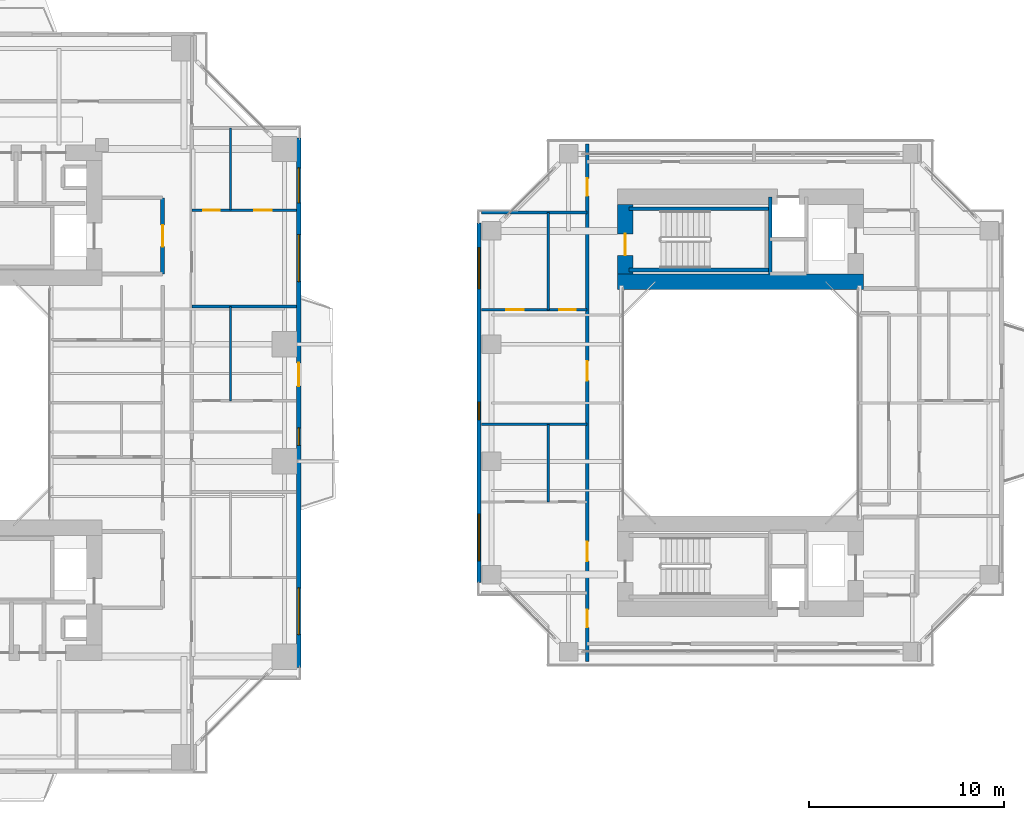
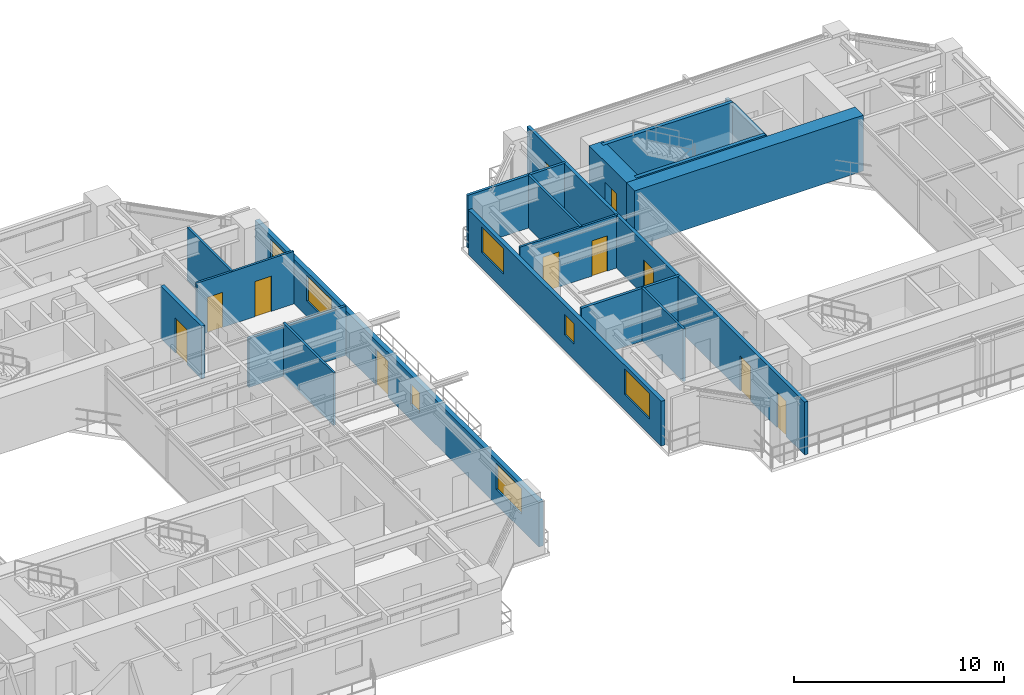
# One storey, part 15 of 22: 18 walls, 11 doors, 7 windows, 18 openings.
"""IFC4 building model written with IfcOpenShell, lengths in metres."""

from ifc_helpers import new_model, si_unit, direction, frame, frame_2d, origin, place, context, subcontext, project, spatial, rectangle, extrude, source, transform, mapped, material, layer, layer_set, type_object, element, fill, save


model = new_model("IFC4")

# Units and contexts
model_context = context("Model", 3, precision=1e-05, world=origin(), true_north=direction((0.0, 1.0)))
body_context = subcontext(model_context, "Body", "Model", "MODEL_VIEW")
ifc_project = project(units=[si_unit("LENGTHUNIT", "METRE"), si_unit("AREAUNIT", "SQUARE_METRE"), si_unit("VOLUMEUNIT", "CUBIC_METRE"), si_unit("PLANEANGLEUNIT", "RADIAN"), si_unit("MASSUNIT", "GRAM", prefix="KILO"), si_unit("THERMODYNAMICTEMPERATUREUNIT", "KELVIN"), si_unit("POWERUNIT", "WATT")], contexts=[model_context])

# Site, building, storey
site_placement = place(None, origin())
site = spatial("IfcSite", under=ifc_project, at=site_placement, CompositionType="ELEMENT")
building_placement = place(site_placement, origin())
building = spatial("IfcBuilding", under=site, at=building_placement, Name="Qiaomeng Ring Towers", CompositionType="ELEMENT")
storey_placement = place(building_placement, frame((0.0, 0.0, 53.5)))
storey = spatial("IfcBuildingStorey", under=building, at=storey_placement, Name="L14", CompositionType="ELEMENT", Elevation=53.5)

# Wall, openings, door, windows
ifc_material_1 = material(Name="Precast concrete C40", Category="concrete")
ifc_layer_1 = layer(ifc_material_1, 0.25, Name="Precast concrete C40")
ifc_layer_set_1 = layer_set([ifc_layer_1], Name="Precast concrete C40")
wall_type_1 = type_object("IfcWallType", Name="ARC-WL-EW1", PredefinedType="STANDARD", material=ifc_layer_set_1)
wall_1_placement = place(storey_placement, frame((37.875, 9.449951171875, 0.0), z_axis=(0.0, 0.0, 1.0), x_axis=(0.0, 1.0, 0.0)))
wall_1 = element("IfcWall", 1, at=wall_1_placement, inside=storey, type_object=wall_type_1, Name="L14 Tower 1 E Exterior Wall", PredefinedType="STANDARD", context=body_context, shape_type="SweptSolid", body=[
    extrude(rectangle(XDim=27.10009765625, YDim=0.25, at=frame_2d((13.550048828125, 0.0))), origin(), (0.0, 0.0, 1.0), 2.610107421875),
])
opening_1_placement = place(wall_1_placement, frame((14.39990234375, 0.0, 0.0)))
opening_1 = element("IfcOpeningElement", 2, at=opening_1_placement, cuts=wall_1, Name="Opening BD1", PredefinedType="OPENING", context=body_context, shape_type="SweptSolid", body=[
    extrude(rectangle(XDim=1.199951171875, YDim=2.10009765625, at=frame_2d((0.60009765625, 1.050048828125))), frame((0.0, 0.135009765625, 0.0), z_axis=(0.0, -1.0, 0.0), x_axis=(1.0, 0.0, 0.0)), (0.0, 0.0, 1.0), 0.27001953125),
])
opening_2_placement = place(wall_1_placement, frame((1.672607421875, 0.0, 0.89990234375)))
opening_2 = element("IfcOpeningElement", 3, at=opening_2_placement, cuts=wall_1, Name="Opening WN6", PredefinedType="OPENING", context=body_context, shape_type="SweptSolid", body=[
    extrude(rectangle(XDim=2.39990234375, YDim=1.5, at=frame_2d((1.199951171875, 0.75))), frame((0.0, 0.135009765625, 0.0), z_axis=(0.0, -1.0, 0.0), x_axis=(1.0, 0.0, 0.0)), (0.0, 0.0, 1.0), 0.27001953125),
])
opening_3_placement = place(wall_1_placement, frame((23.78759765625, 0.0, 0.89990234375)))
opening_3 = element("IfcOpeningElement", 4, at=opening_3_placement, cuts=wall_1, Name="Opening WN1", PredefinedType="OPENING", context=body_context, shape_type="SweptSolid", body=[
    extrude(rectangle(XDim=1.800048828125, YDim=1.5, at=frame_2d((0.89990234375, 0.75))), frame((0.0, 0.135009765625, 0.0), z_axis=(0.0, -1.0, 0.0), x_axis=(1.0, 0.0, 0.0)), (0.0, 0.0, 1.0), 0.27001953125),
])
opening_4_placement = place(wall_1_placement, frame((19.757568359375, 0.0, 0.89990234375)))
opening_4 = element("IfcOpeningElement", 5, at=opening_4_placement, cuts=wall_1, Name="Opening WN6", PredefinedType="OPENING", context=body_context, shape_type="SweptSolid", body=[
    extrude(rectangle(XDim=2.39990234375, YDim=1.5, at=frame_2d((1.199951171875, 0.75))), frame((0.0, 0.135009765625, 0.0), z_axis=(0.0, -1.0, 0.0), x_axis=(1.0, 0.0, 0.0)), (0.0, 0.0, 1.0), 0.27001953125),
])
opening_5_placement = place(wall_1_placement, frame((11.364990234375, 0.0, 0.89990234375)))
opening_5 = element("IfcOpeningElement", 6, at=opening_5_placement, cuts=wall_1, Name="Opening WN5", PredefinedType="OPENING", context=body_context, shape_type="SweptSolid", body=[
    extrude(rectangle(XDim=0.89990234375, YDim=1.199951171875, at=frame_2d((0.449951171875, 0.60009765625))), frame((0.0, 0.135009765625, 0.0), z_axis=(0.0, -1.0, 0.0), x_axis=(1.0, 0.0, 0.0)), (0.0, 0.0, 1.0), 0.27001953125),
])
ifc_material_2 = material(Name="Low-E dark-grey laminated double glazing", Category="glass")
door_type_1 = type_object("IfcDoorType", Name="ARC-DR-BD1", OperationType="NOTDEFINED", PredefinedType="DOOR", material=ifc_material_2)
shared_shape_1 = source(origin(), body_context, "Body", "SweptSolid", [
    extrude(rectangle(XDim=1.199951171875, YDim=2.10009765625, at=frame_2d((0.60009765625, 1.050048828125))), frame((0.0, 0.02490234375, 0.0), z_axis=(0.0, -1.0, 0.0), x_axis=(1.0, 0.0, 0.0)), (0.0, 0.0, 1.0), 0.050048828125),
])
door_1_placement = place(opening_1_placement, origin())
door_1 = element("IfcDoor", 7, at=door_1_placement, inside=storey, type_object=door_type_1, Name="L14 E Balcony Glazed Door", OperationType="SINGLE_SWING_LEFT", OverallHeight=2.10009765625, OverallWidth=1.199951171875, PredefinedType="DOOR", context=body_context, shape_type="MappedRepresentation", body=[
    mapped(shared_shape_1, transform((0.0, 0.0, 0.0), x_axis=(1.0, 0.0, 0.0), y_axis=(0.0, 1.0, 0.0), z_axis=(0.0, 0.0, 1.0), scale=1.0)),
])
fill(opening_1, door_1)
window_type_1 = type_object("IfcWindowType", Name="ARC-WN-6", PartitioningType="TRIPLE_PANEL_VERTICAL", PredefinedType="WINDOW", material=ifc_material_2)
shared_shape_2 = source(origin(), body_context, "Body", "SweptSolid", [
    extrude(rectangle(XDim=2.39990234375, YDim=1.5, at=frame_2d((1.199951171875, 0.75))), frame((0.0, 0.030029296875, 0.0), z_axis=(0.0, -1.0, 0.0), x_axis=(1.0, 0.0, 0.0)), (0.0, 0.0, 1.0), 0.06005859375),
])
window_1_placement = place(opening_2_placement, origin())
window_1 = element("IfcWindow", 8, at=window_1_placement, inside=storey, type_object=window_type_1, Name="L14 Exterior Window WN6", OverallHeight=1.5, OverallWidth=2.39990234375, PartitioningType="TRIPLE_PANEL_VERTICAL", PredefinedType="WINDOW", context=body_context, shape_type="MappedRepresentation", body=[
    mapped(shared_shape_2, transform((0.0, 0.0, 0.0), x_axis=(1.0, 0.0, 0.0), y_axis=(0.0, 1.0, 0.0), z_axis=(0.0, 0.0, 1.0), scale=1.0)),
])
fill(opening_2, window_1)
window_2_placement = place(opening_4_placement, origin())
window_2 = element("IfcWindow", 9, at=window_2_placement, inside=storey, type_object=window_type_1, Name="L14 Exterior Window WN6", OverallHeight=1.5, OverallWidth=2.39990234375, PartitioningType="TRIPLE_PANEL_VERTICAL", PredefinedType="WINDOW", context=body_context, shape_type="MappedRepresentation", body=[
    mapped(shared_shape_2, transform((0.0, 0.0, 0.0), x_axis=(1.0, 0.0, 0.0), y_axis=(0.0, 1.0, 0.0), z_axis=(0.0, 0.0, 1.0), scale=1.0)),
])
fill(opening_4, window_2)
window_type_2 = type_object("IfcWindowType", Name="ARC-WN-1", PartitioningType="DOUBLE_PANEL_VERTICAL", PredefinedType="WINDOW", material=ifc_material_2)
shared_shape_3 = source(origin(), body_context, "Body", "SweptSolid", [
    extrude(rectangle(XDim=1.800048828125, YDim=1.5, at=frame_2d((0.89990234375, 0.75))), frame((0.0, 0.030029296875, 0.0), z_axis=(0.0, -1.0, 0.0), x_axis=(1.0, 0.0, 0.0)), (0.0, 0.0, 1.0), 0.06005859375),
])
window_3_placement = place(opening_3_placement, origin())
window_3 = element("IfcWindow", 10, at=window_3_placement, inside=storey, type_object=window_type_2, Name="L14 Exterior Window WN4", OverallHeight=1.5, OverallWidth=1.800048828125, PartitioningType="TRIPLE_PANEL_VERTICAL", PredefinedType="WINDOW", context=body_context, shape_type="MappedRepresentation", body=[
    mapped(shared_shape_3, transform((0.0, 0.0, 0.0), x_axis=(1.0, 0.0, 0.0), y_axis=(0.0, 1.0, 0.0), z_axis=(0.0, 0.0, 1.0), scale=1.0)),
])
fill(opening_3, window_3)
window_type_3 = type_object("IfcWindowType", Name="ARC-WN-5", PartitioningType="SINGLE_PANEL", PredefinedType="WINDOW", material=ifc_material_2)
shared_shape_4 = source(origin(), body_context, "Body", "SweptSolid", [
    extrude(rectangle(XDim=0.89990234375, YDim=1.199951171875, at=frame_2d((0.449951171875, 0.60009765625))), frame((0.0, 0.030029296875, 0.0), z_axis=(0.0, -1.0, 0.0), x_axis=(1.0, 0.0, 0.0)), (0.0, 0.0, 1.0), 0.06005859375),
])
window_4_placement = place(opening_5_placement, origin())
window_4 = element("IfcWindow", 11, at=window_4_placement, inside=storey, type_object=window_type_3, Name="L14 Exterior Window WN5", OverallHeight=1.199951171875, OverallWidth=0.89990234375, PartitioningType="SINGLE_PANEL", PredefinedType="WINDOW", context=body_context, shape_type="MappedRepresentation", body=[
    mapped(shared_shape_4, transform((0.0, 0.0, 0.0), x_axis=(1.0, 0.0, 0.0), y_axis=(0.0, 1.0, 0.0), z_axis=(0.0, 0.0, 1.0), scale=1.0)),
])
fill(opening_5, window_4)

# Wall, openings, windows
ifc_layer_2 = layer(ifc_material_1, 0.219970703125, Name="Precast concrete C40")
ifc_layer_set_2 = layer_set([ifc_layer_2], Name="Precast concrete C40")
wall_type_2 = type_object("IfcWallType", Name="ARC-WL-EW2", PredefinedType="STANDARD", material=ifc_layer_set_2)
wall_2_placement = place(storey_placement, frame((47.110107421875, 13.800048828125, 0.0), z_axis=(0.0, 0.0, 1.0), x_axis=(0.0, 1.0, 0.0)))
wall_2 = element("IfcWall", 12, at=wall_2_placement, inside=storey, type_object=wall_type_2, Name="L14 Companion West Wall", PredefinedType="STANDARD", context=body_context, shape_type="SweptSolid", body=[
    extrude(rectangle(XDim=18.39990234375, YDim=0.219970703125, at=frame_2d((9.199951171875, 0.0))), origin(), (0.0, 0.0, 1.0), 2.610107421875),
])
opening_6_placement = place(wall_2_placement, frame((1.10009765625, 0.0, 0.89990234375)))
opening_6 = element("IfcOpeningElement", 13, at=opening_6_placement, cuts=wall_2, Name="Opening WN6", PredefinedType="OPENING", context=body_context, shape_type="SweptSolid", body=[
    extrude(rectangle(XDim=2.39990234375, YDim=1.47998046875, at=frame_2d((1.199951171875, 0.739990234375))), frame((0.0, 0.119873046875, 0.0), z_axis=(0.0, -1.0, 0.0), x_axis=(1.0, 0.0, 0.0)), (0.0, 0.0, 1.0), 0.239990234375),
])
opening_7_placement = place(wall_2_placement, frame((15.050048828125, 0.0, 0.89990234375)))
opening_7 = element("IfcOpeningElement", 14, at=opening_7_placement, cuts=wall_2, Name="Opening WN4", PredefinedType="OPENING", context=body_context, shape_type="SweptSolid", body=[
    extrude(rectangle(XDim=2.10009765625, YDim=1.47998046875, at=frame_2d((1.050048828125, 0.739990234375))), frame((0.0, 0.119873046875, 0.0), z_axis=(0.0, -1.0, 0.0), x_axis=(1.0, 0.0, 0.0)), (0.0, 0.0, 1.0), 0.239990234375),
])
opening_8_placement = place(wall_2_placement, frame((8.3349609375, 0.0, 0.89990234375)))
opening_8 = element("IfcOpeningElement", 15, at=opening_8_placement, cuts=wall_2, Name="Opening WN5", PredefinedType="OPENING", context=body_context, shape_type="SweptSolid", body=[
    extrude(rectangle(XDim=0.89990234375, YDim=1.199951171875, at=frame_2d((0.449951171875, 0.60009765625))), frame((0.0, 0.119873046875, 0.0), z_axis=(0.0, -1.0, 0.0), x_axis=(1.0, 0.0, 0.0)), (0.0, 0.0, 1.0), 0.239990234375),
])
window_type_4 = type_object("IfcWindowType", Name="ARC-WN-4", PartitioningType="TRIPLE_PANEL_VERTICAL", PredefinedType="WINDOW", material=ifc_material_2)
shared_shape_5 = source(origin(), body_context, "Body", "SweptSolid", [
    extrude(rectangle(XDim=2.10009765625, YDim=1.47998046875, at=frame_2d((1.050048828125, 0.739990234375))), frame((0.0, 0.030029296875, 0.0), z_axis=(0.0, -1.0, 0.0), x_axis=(1.0, 0.0, 0.0)), (0.0, 0.0, 1.0), 0.06005859375),
])
window_5_placement = place(opening_7_placement, origin())
window_5 = element("IfcWindow", 16, at=window_5_placement, inside=storey, type_object=window_type_4, Name="L14 Exterior Window WN4", OverallHeight=1.47998046875, OverallWidth=2.10009765625, PartitioningType="TRIPLE_PANEL_VERTICAL", PredefinedType="WINDOW", context=body_context, shape_type="MappedRepresentation", body=[
    mapped(shared_shape_5, transform((0.0, 0.0, 0.0), x_axis=(1.0, 0.0, 0.0), y_axis=(0.0, 1.0, 0.0), z_axis=(0.0, 0.0, 1.0), scale=1.0)),
])
fill(opening_7, window_5)
shared_shape_6 = source(origin(), body_context, "Body", "SweptSolid", [
    extrude(rectangle(XDim=2.39990234375, YDim=1.47998046875, at=frame_2d((1.199951171875, 0.739990234375))), frame((0.0, 0.030029296875, 0.0), z_axis=(0.0, -1.0, 0.0), x_axis=(1.0, 0.0, 0.0)), (0.0, 0.0, 1.0), 0.06005859375),
])
window_6_placement = place(opening_6_placement, origin())
window_6 = element("IfcWindow", 17, at=window_6_placement, inside=storey, type_object=window_type_1, Name="L14 Exterior Window WN6", OverallHeight=1.47998046875, OverallWidth=2.39990234375, PartitioningType="TRIPLE_PANEL_VERTICAL", PredefinedType="WINDOW", context=body_context, shape_type="MappedRepresentation", body=[
    mapped(shared_shape_6, transform((0.0, 0.0, 0.0), x_axis=(1.0, 0.0, 0.0), y_axis=(0.0, 1.0, 0.0), z_axis=(0.0, 0.0, 1.0), scale=1.0)),
])
fill(opening_6, window_6)
window_7_placement = place(opening_8_placement, origin())
window_7 = element("IfcWindow", 18, at=window_7_placement, inside=storey, type_object=window_type_3, Name="L14 Exterior Window WN5", OverallHeight=1.199951171875, OverallWidth=0.89990234375, PartitioningType="SINGLE_PANEL", PredefinedType="WINDOW", context=body_context, shape_type="MappedRepresentation", body=[
    mapped(shared_shape_4, transform((0.0, 0.0, 0.0), x_axis=(1.0, 0.0, 0.0), y_axis=(0.0, 1.0, 0.0), z_axis=(0.0, 0.0, 1.0), scale=1.0)),
])
fill(opening_8, window_7)

# Wall, opening, door
ifc_material_3 = material(Name="Autoclaved aerated concrete block", Category="concrete")
ifc_layer_3 = layer(ifc_material_3, 0.199951171875, Name="Autoclaved aerated concrete block")
ifc_layer_set_3 = layer_set([ifc_layer_3], Name="Autoclaved aerated concrete block")
wall_type_3 = type_object("IfcWallType", Name="ARC-WL-PW1", PredefinedType="PARTITIONING", material=ifc_layer_set_3)
wall_3_placement = place(storey_placement, frame((30.89990234375, 29.60009765625, 0.0), z_axis=(0.0, 0.0, 1.0), x_axis=(0.0, 1.0, 0.0)))
wall_3 = element("IfcWall", 19, at=wall_3_placement, inside=storey, type_object=wall_type_3, Name="L14 Interior Wall PW1", PredefinedType="PARTITIONING", context=body_context, shape_type="SweptSolid", body=[
    extrude(rectangle(XDim=3.89990234375, YDim=0.199951171875, at=frame_2d((1.949951171875, 0.0))), origin(), (0.0, 0.0, 1.0), 3.070068359375),
])
opening_9_placement = place(wall_3_placement, frame((1.39990234375, 0.0, 0.0)))
opening_9 = element("IfcOpeningElement", 20, at=opening_9_placement, cuts=wall_3, Name="Opening FD3", PredefinedType="OPENING", context=body_context, shape_type="SweptSolid", body=[
    extrude(rectangle(XDim=1.10009765625, YDim=2.050048828125, at=frame_2d((0.550048828125, 1.02490234375))), frame((0.0, 0.10986328125, 0.0), z_axis=(0.0, -1.0, 0.0), x_axis=(1.0, 0.0, 0.0)), (0.0, 0.0, 1.0), 0.219970703125),
])
ifc_material_4 = material(Name="Galvanised steel", Category="steel")
door_type_2 = type_object("IfcDoorType", Name="ARC-DR-FD3", OperationType="NOTDEFINED", PredefinedType="DOOR", material=ifc_material_4)
shared_shape_7 = source(origin(), body_context, "Body", "SweptSolid", [
    extrude(rectangle(XDim=1.10009765625, YDim=2.050048828125, at=frame_2d((0.550048828125, 1.02490234375))), frame((0.0, 0.02490234375, 0.0), z_axis=(0.0, -1.0, 0.0), x_axis=(1.0, 0.0, 0.0)), (0.0, 0.0, 1.0), 0.050048828125),
])
door_2_placement = place(opening_9_placement, origin())
door_2 = element("IfcDoor", 21, at=door_2_placement, inside=storey, type_object=door_type_2, Name="L14 North FF Lobby Door", OperationType="SINGLE_SWING_LEFT", OverallHeight=2.050048828125, OverallWidth=1.10009765625, PredefinedType="DOOR", context=body_context, shape_type="MappedRepresentation", body=[
    mapped(shared_shape_7, transform((0.0, 0.0, 0.0), x_axis=(1.0, 0.0, 0.0), y_axis=(0.0, 1.0, 0.0), z_axis=(0.0, 0.0, 1.0), scale=1.0)),
])
fill(opening_9, door_2)

# Wall, openings, doors
ifc_layer_4 = layer(ifc_material_3, 0.179931640625, Name="Autoclaved aerated concrete block")
ifc_layer_set_4 = layer_set([ifc_layer_4], Name="Autoclaved aerated concrete block")
wall_type_4 = type_object("IfcWallType", Name="ARC-WL-PW2", PredefinedType="PARTITIONING", material=ifc_layer_set_4)
wall_4_placement = place(storey_placement, frame((52.64990234375, 9.75, 0.0), z_axis=(0.0, 0.0, 1.0), x_axis=(0.0, 1.0, 0.0)))
wall_4 = element("IfcWall", 22, at=wall_4_placement, inside=storey, type_object=wall_type_4, Name="L14 Interior Wall PW2", PredefinedType="PARTITIONING", context=body_context, shape_type="SweptSolid", body=[
    extrude(rectangle(XDim=26.5, YDim=0.179931640625, at=frame_2d((13.25, 0.0))), origin(), (0.0, 0.0, 1.0), 3.070068359375),
])
opening_10_placement = place(wall_4_placement, frame((23.85009765625, 0.0, 0.0)))
opening_10 = element("IfcOpeningElement", 23, at=opening_10_placement, cuts=wall_4, Name="Opening ID1", PredefinedType="OPENING", context=body_context, shape_type="SweptSolid", body=[
    extrude(rectangle(XDim=0.89990234375, YDim=2.050048828125, at=frame_2d((0.449951171875, 1.02490234375))), frame((0.0, 0.099853515625, 0.0), z_axis=(0.0, -1.0, 0.0), x_axis=(1.0, 0.0, 0.0)), (0.0, 0.0, 1.0), 0.199951171875),
])
opening_11_placement = place(wall_4_placement, frame((1.75, 0.0, 0.0)))
opening_11 = element("IfcOpeningElement", 24, at=opening_11_placement, cuts=wall_4, Name="Opening ID1", PredefinedType="OPENING", context=body_context, shape_type="SweptSolid", body=[
    extrude(rectangle(XDim=0.89990234375, YDim=2.050048828125, at=frame_2d((0.449951171875, 1.02490234375))), frame((0.0, 0.099853515625, 0.0), z_axis=(0.0, -1.0, 0.0), x_axis=(1.0, 0.0, 0.0)), (0.0, 0.0, 1.0), 0.199951171875),
])
opening_12_placement = place(wall_4_placement, frame((5.14501953125, 0.0, 0.0)))
opening_12 = element("IfcOpeningElement", 25, at=opening_12_placement, cuts=wall_4, Name="Opening FD4", PredefinedType="OPENING", context=body_context, shape_type="SweptSolid", body=[
    extrude(rectangle(XDim=1.0, YDim=2.050048828125, at=frame_2d((0.5, 1.02490234375))), frame((0.0, 0.099853515625, 0.0), z_axis=(0.0, -1.0, 0.0), x_axis=(1.0, 0.0, 0.0)), (0.0, 0.0, 1.0), 0.199951171875),
])
opening_13_placement = place(wall_4_placement, frame((14.389892578125, 0.0, 0.0)))
opening_13 = element("IfcOpeningElement", 26, at=opening_13_placement, cuts=wall_4, Name="Opening FD4", PredefinedType="OPENING", context=body_context, shape_type="SweptSolid", body=[
    extrude(rectangle(XDim=1.0, YDim=2.050048828125, at=frame_2d((0.5, 1.02490234375))), frame((0.0, 0.099853515625, 0.0), z_axis=(0.0, -1.0, 0.0), x_axis=(1.0, 0.0, 0.0)), (0.0, 0.0, 1.0), 0.199951171875),
])
ifc_material_5 = material(Name="Engineered fire-rated oak timber", Category="wood")
door_type_3 = type_object("IfcDoorType", Name="ARC-DR-FD4", OperationType="NOTDEFINED", PredefinedType="DOOR", material=ifc_material_5)
shared_shape_8 = source(origin(), body_context, "Body", "SweptSolid", [
    extrude(rectangle(XDim=1.0, YDim=2.050048828125, at=frame_2d((0.5, 1.02490234375))), frame((0.0, 0.02490234375, 0.0), z_axis=(0.0, -1.0, 0.0), x_axis=(1.0, 0.0, 0.0)), (0.0, 0.0, 1.0), 0.050048828125),
])
door_3_placement = place(opening_12_placement, origin())
door_3 = element("IfcDoor", 27, at=door_3_placement, inside=storey, type_object=door_type_3, Name="L14 Door FD4", OperationType="SINGLE_SWING_LEFT", OverallHeight=2.050048828125, OverallWidth=1.0, PredefinedType="DOOR", context=body_context, shape_type="MappedRepresentation", body=[
    mapped(shared_shape_8, transform((0.0, 0.0, 0.0), x_axis=(1.0, 0.0, 0.0), y_axis=(0.0, 1.0, 0.0), z_axis=(0.0, 0.0, 1.0), scale=1.0)),
])
fill(opening_12, door_3)
door_4_placement = place(opening_13_placement, origin())
door_4 = element("IfcDoor", 28, at=door_4_placement, inside=storey, type_object=door_type_3, Name="L14 Door FD4", OperationType="SINGLE_SWING_RIGHT", OverallHeight=2.050048828125, OverallWidth=1.0, PredefinedType="DOOR", context=body_context, shape_type="MappedRepresentation", body=[
    mapped(shared_shape_8, transform((0.0, 0.0, 0.0), x_axis=(1.0, 0.0, 0.0), y_axis=(0.0, 1.0, 0.0), z_axis=(0.0, 0.0, 1.0), scale=1.0)),
])
fill(opening_13, door_4)
ifc_material_6 = material(Name="Engineered oak timber", Category="wood")
door_type_4 = type_object("IfcDoorType", Name="ARC-DR-ID1", OperationType="NOTDEFINED", PredefinedType="DOOR", material=ifc_material_6)
shared_shape_9 = source(origin(), body_context, "Body", "SweptSolid", [
    extrude(rectangle(XDim=0.89990234375, YDim=2.050048828125, at=frame_2d((0.449951171875, 1.02490234375))), frame((0.0, 0.02490234375, 0.0), z_axis=(0.0, -1.0, 0.0), x_axis=(1.0, 0.0, 0.0)), (0.0, 0.0, 1.0), 0.050048828125),
])
door_5_placement = place(opening_10_placement, origin())
door_5 = element("IfcDoor", 29, at=door_5_placement, inside=storey, type_object=door_type_4, Name="L14 Door ID1", OperationType="SINGLE_SWING_LEFT", OverallHeight=2.050048828125, OverallWidth=0.89990234375, PredefinedType="DOOR", context=body_context, shape_type="MappedRepresentation", body=[
    mapped(shared_shape_9, transform((0.0, 0.0, 0.0), x_axis=(1.0, 0.0, 0.0), y_axis=(0.0, 1.0, 0.0), z_axis=(0.0, 0.0, 1.0), scale=1.0)),
])
fill(opening_10, door_5)
door_6_placement = place(opening_11_placement, origin())
door_6 = element("IfcDoor", 30, at=door_6_placement, inside=storey, type_object=door_type_4, Name="L14 Door ID1", OperationType="SINGLE_SWING_RIGHT", OverallHeight=2.050048828125, OverallWidth=0.89990234375, PredefinedType="DOOR", context=body_context, shape_type="MappedRepresentation", body=[
    mapped(shared_shape_9, transform((0.0, 0.0, 0.0), x_axis=(1.0, 0.0, 0.0), y_axis=(0.0, 1.0, 0.0), z_axis=(0.0, 0.0, 1.0), scale=1.0)),
])
fill(opening_11, door_6)

# Walls
ifc_material_7 = material(Name="Gypsum fireboard steel-stud partition", Category="steel")
ifc_layer_5 = layer(ifc_material_7, 0.14990234375, Name="Gypsum fireboard steel-stud partition")
ifc_layer_set_5 = layer_set([ifc_layer_5], Name="Gypsum fireboard steel-stud partition")
wall_type_5 = type_object("IfcWallType", Name="ARC-WL-PW3", PredefinedType="PARTITIONING", material=ifc_layer_set_5)
wall_5_placement = place(storey_placement, frame((32.39990234375, 27.929931640625, 0.0), z_axis=(0.0, 0.0, 1.0), x_axis=(1.0, 0.0, 0.0)))
element("IfcWall", 31, at=wall_5_placement, inside=storey, type_object=wall_type_5, Name="L14 Interior Wall PW3", PredefinedType="PARTITIONING", context=body_context, shape_type="SweptSolid", body=[
    extrude(rectangle(XDim=5.35009765625, YDim=0.14990234375, at=frame_2d((2.675048828125, 0.0))), origin(), (0.0, 0.0, 1.0), 2.864990234375),
])
for number, where, z_axis, x_axis, name in (
    (32, (47.25, 32.75, 0.0), (0.0, 0.0, 1.0), (1.0, 0.0, 0.0), "L14 Interior Wall PW3"),
    (33, (47.25, 21.89990234375, 0.0), (0.0, 0.0, 1.0), (1.0, 0.0, 0.0), "L14 Interior Wall PW3"),
):
    element("IfcWall", number, at=place(storey_placement, frame(where, z_axis=z_axis, x_axis=x_axis)), inside=storey, type_object=wall_type_5, Name=name, PredefinedType="PARTITIONING", context=body_context, shape_type="SweptSolid", body=[
        extrude(rectangle(XDim=5.39990234375, YDim=0.14990234375, at=frame_2d((2.699951171875, 0.0))), origin(), (0.0, 0.0, 1.0), 3.070068359375),
    ])
ifc_material_8 = material(Name="Moisture-resistant gypsum steel-stud partition", Category="steel")
ifc_layer_6 = layer(ifc_material_8, 0.1201171875, Name="Moisture-resistant gypsum steel-stud partition")
ifc_layer_set_6 = layer_set([ifc_layer_6], Name="Moisture-resistant gypsum steel-stud partition")
wall_type_6 = type_object("IfcWallType", Name="ARC-WL-PW4", PredefinedType="PLUMBINGWALL", material=ifc_layer_set_6)
wall_6_placement = place(storey_placement, frame((34.3798828125, 23.10009765625, 0.0), z_axis=(0.0, 0.0, 1.0), x_axis=(0.0, 1.0, 0.0)))
element("IfcWall", 34, at=wall_6_placement, inside=storey, type_object=wall_type_6, Name="L14 Interior Wall PW4", PredefinedType="PLUMBINGWALL", context=body_context, shape_type="SweptSolid", body=[
    extrude(rectangle(XDim=4.829833984375, YDim=0.1201171875, at=frame_2d((2.4150390625, 0.0))), origin(), (0.0, 0.0, 1.0), 3.070068359375),
])

# Wall, openings, doors
wall_7_placement = place(storey_placement, frame((32.39990234375, 32.8701171875, 0.0), z_axis=(0.0, 0.0, 1.0), x_axis=(1.0, 0.0, 0.0)))
wall_7 = element("IfcWall", 35, at=wall_7_placement, inside=storey, type_object=wall_type_6, Name="L14 Interior Wall PW4", PredefinedType="PLUMBINGWALL", context=body_context, shape_type="SweptSolid", body=[
    extrude(rectangle(XDim=5.35009765625, YDim=0.1201171875, at=frame_2d((2.675048828125, 0.0))), origin(), (0.0, 0.0, 1.0), 3.070068359375),
])
opening_14_placement = place(wall_7_placement, frame((0.574951171875, 0.0, 0.0)))
opening_14 = element("IfcOpeningElement", 36, at=opening_14_placement, cuts=wall_7, Name="Opening ID2", PredefinedType="OPENING", context=body_context, shape_type="SweptSolid", body=[
    extrude(rectangle(XDim=0.85009765625, YDim=2.050048828125, at=frame_2d((0.425048828125, 1.02490234375))), frame((0.0, 0.070068359375, 0.0), z_axis=(0.0, -1.0, 0.0), x_axis=(1.0, 0.0, 0.0)), (0.0, 0.0, 1.0), 0.14013671875),
])
opening_15_placement = place(wall_7_placement, frame((3.205078125, 0.0, 0.0)))
opening_15 = element("IfcOpeningElement", 37, at=opening_15_placement, cuts=wall_7, Name="Opening ID1", PredefinedType="OPENING", context=body_context, shape_type="SweptSolid", body=[
    extrude(rectangle(XDim=0.89990234375, YDim=2.050048828125, at=frame_2d((0.449951171875, 1.02490234375))), frame((0.0, 0.070068359375, 0.0), z_axis=(0.0, -1.0, 0.0), x_axis=(1.0, 0.0, 0.0)), (0.0, 0.0, 1.0), 0.14013671875),
])
ifc_material_9 = material(Name="Moisture-resistant engineered timber", Category="wood")
door_type_5 = type_object("IfcDoorType", Name="ARC-DR-ID2", OperationType="NOTDEFINED", PredefinedType="DOOR", material=ifc_material_9)
shared_shape_10 = source(origin(), body_context, "Body", "SweptSolid", [
    extrude(rectangle(XDim=0.85009765625, YDim=2.050048828125, at=frame_2d((0.425048828125, 1.02490234375))), frame((0.0, 0.02490234375, 0.0), z_axis=(0.0, -1.0, 0.0), x_axis=(1.0, 0.0, 0.0)), (0.0, 0.0, 1.0), 0.050048828125),
])
door_7_placement = place(opening_14_placement, origin())
door_7 = element("IfcDoor", 38, at=door_7_placement, inside=storey, type_object=door_type_5, Name="L14 Door ID2", OperationType="SINGLE_SWING_RIGHT", OverallHeight=2.050048828125, OverallWidth=0.85009765625, PredefinedType="DOOR", context=body_context, shape_type="MappedRepresentation", body=[
    mapped(shared_shape_10, transform((0.0, 0.0, 0.0), x_axis=(1.0, 0.0, 0.0), y_axis=(0.0, 1.0, 0.0), z_axis=(0.0, 0.0, 1.0), scale=1.0)),
])
fill(opening_14, door_7)
door_8_placement = place(opening_15_placement, origin())
door_8 = element("IfcDoor", 39, at=door_8_placement, inside=storey, type_object=door_type_4, Name="L14 Door ID1", OperationType="SINGLE_SWING_LEFT", OverallHeight=2.050048828125, OverallWidth=0.89990234375, PredefinedType="DOOR", context=body_context, shape_type="MappedRepresentation", body=[
    mapped(shared_shape_9, transform((0.0, 0.0, 0.0), x_axis=(1.0, 0.0, 0.0), y_axis=(0.0, 1.0, 0.0), z_axis=(0.0, 0.0, 1.0), scale=1.0)),
])
fill(opening_15, door_8)

# Walls
wall_8_placement = place(storey_placement, frame((34.3798828125, 32.8701171875, 0.0), z_axis=(0.0, 0.0, 1.0), x_axis=(0.0, 1.0, 0.0)))
element("IfcWall", 40, at=wall_8_placement, inside=storey, type_object=wall_type_6, Name="L14 Interior Wall PW4", PredefinedType="PLUMBINGWALL", context=body_context, shape_type="SweptSolid", body=[
    extrude(rectangle(XDim=4.2099609375, YDim=0.1201171875, at=frame_2d((2.10498046875, 0.0))), origin(), (0.0, 0.0, 1.0), 3.070068359375),
])
wall_9_placement = place(storey_placement, frame((50.64990234375, 17.919921875, 0.0), z_axis=(0.0, 0.0, 1.0), x_axis=(0.0, 1.0, 0.0)))
element("IfcWall", 41, at=wall_9_placement, inside=storey, type_object=wall_type_6, Name="L14 Interior Wall PW4", PredefinedType="PLUMBINGWALL", context=body_context, shape_type="SweptSolid", body=[
    extrude(rectangle(XDim=3.97998046875, YDim=0.1201171875, at=frame_2d((1.989990234375, 0.0))), origin(), (0.0, 0.0, 1.0), 3.070068359375),
])

# Wall, openings, doors
wall_10_placement = place(storey_placement, frame((47.25, 27.760009765625, 0.0), z_axis=(0.0, 0.0, 1.0), x_axis=(1.0, 0.0, 0.0)))
wall_10 = element("IfcWall", 42, at=wall_10_placement, inside=storey, type_object=wall_type_6, Name="L14 Interior Wall PW4", PredefinedType="PLUMBINGWALL", context=body_context, shape_type="SweptSolid", body=[
    extrude(rectangle(XDim=5.39990234375, YDim=0.1201171875, at=frame_2d((2.699951171875, 0.0))), origin(), (0.0, 0.0, 1.0), 3.070068359375),
])
opening_16_placement = place(wall_10_placement, frame((1.260009765625, 0.0, 0.0)))
opening_16 = element("IfcOpeningElement", 43, at=opening_16_placement, cuts=wall_10, Name="Opening ID1", PredefinedType="OPENING", context=body_context, shape_type="SweptSolid", body=[
    extrude(rectangle(XDim=0.89990234375, YDim=2.050048828125, at=frame_2d((0.449951171875, 1.02490234375))), frame((0.0, 0.070068359375, 0.0), z_axis=(0.0, -1.0, 0.0), x_axis=(1.0, 0.0, 0.0)), (0.0, 0.0, 1.0), 0.14013671875),
])
opening_17_placement = place(wall_10_placement, frame((3.965087890625, 0.0, 0.0)))
opening_17 = element("IfcOpeningElement", 44, at=opening_17_placement, cuts=wall_10, Name="Opening ID2", PredefinedType="OPENING", context=body_context, shape_type="SweptSolid", body=[
    extrude(rectangle(XDim=0.85009765625, YDim=2.050048828125, at=frame_2d((0.425048828125, 1.02490234375))), frame((0.0, 0.070068359375, 0.0), z_axis=(0.0, -1.0, 0.0), x_axis=(1.0, 0.0, 0.0)), (0.0, 0.0, 1.0), 0.14013671875),
])
door_9_placement = place(opening_17_placement, origin())
door_9 = element("IfcDoor", 45, at=door_9_placement, inside=storey, type_object=door_type_5, Name="L14 Door ID2", OperationType="SINGLE_SWING_RIGHT", OverallHeight=2.050048828125, OverallWidth=0.85009765625, PredefinedType="DOOR", context=body_context, shape_type="MappedRepresentation", body=[
    mapped(shared_shape_10, transform((0.0, 0.0, 0.0), x_axis=(1.0, 0.0, 0.0), y_axis=(0.0, 1.0, 0.0), z_axis=(0.0, 0.0, 1.0), scale=1.0)),
])
fill(opening_17, door_9)
door_10_placement = place(opening_16_placement, origin())
door_10 = element("IfcDoor", 46, at=door_10_placement, inside=storey, type_object=door_type_4, Name="L14 Door ID1", OperationType="SINGLE_SWING_LEFT", OverallHeight=2.050048828125, OverallWidth=0.89990234375, PredefinedType="DOOR", context=body_context, shape_type="MappedRepresentation", body=[
    mapped(shared_shape_9, transform((0.0, 0.0, 0.0), x_axis=(1.0, 0.0, 0.0), y_axis=(0.0, 1.0, 0.0), z_axis=(0.0, 0.0, 1.0), scale=1.0)),
])
fill(opening_16, door_10)

# Walls
wall_11_placement = place(storey_placement, frame((50.64990234375, 27.760009765625, 0.0), z_axis=(0.0, 0.0, 1.0), x_axis=(0.0, 1.0, 0.0)))
element("IfcWall", 47, at=wall_11_placement, inside=storey, type_object=wall_type_6, Name="L14 Interior Wall PW4", PredefinedType="PLUMBINGWALL", context=body_context, shape_type="SweptSolid", body=[
    extrude(rectangle(XDim=4.989990234375, YDim=0.1201171875, at=frame_2d((2.4951171875, 0.0))), origin(), (0.0, 0.0, 1.0), 3.070068359375),
])
ifc_material_10 = material(Name="Concrete C40", Category="concrete")
ifc_layer_7 = layer(ifc_material_10, 0.199951171875, Name="Concrete C40")
ifc_layer_set_7 = layer_set([ifc_layer_7], Name="Concrete C40")
wall_type_7 = type_object("IfcWallType", Name="STR-WL-STSHAFT", PredefinedType="SHEAR", material=ifc_layer_set_7)
wall_12_placement = place(storey_placement, frame((62.02001953125, 29.60009765625, 0.0), z_axis=(0.0, 0.0, 1.0), x_axis=(0.0, 1.0, 0.0)))
element("IfcWall", 48, at=wall_12_placement, inside=storey, type_object=wall_type_7, Name="L14 Companion Lift Shaft West Wall N", PredefinedType="SHEAR", context=body_context, shape_type="SweptSolid", body=[
    extrude(rectangle(XDim=3.949951171875, YDim=0.179931640625, at=frame_2d((1.97509765625, 0.0))), origin(), (0.0, 0.0, 1.0), 3.070068359375),
])
for number, where, z_axis, x_axis, name in (
    (49, (54.800048828125, 29.800048828125, 0.0), (0.0, 0.0, 1.0), (1.0, 0.0, 0.0), "L14 Stair ST5 South Shaft Shear Wall"),
    (50, (54.800048828125, 32.93994140625, 0.0), (0.0, 0.0, 1.0), (1.0, 0.0, 0.0), "L14 Stair ST5 North Shaft Shear Wall"),
):
    element("IfcWall", number, at=place(storey_placement, frame(where, z_axis=z_axis, x_axis=x_axis)), inside=storey, type_object=wall_type_7, Name=name, PredefinedType="SHEAR", context=body_context, shape_type="SweptSolid", body=[
        extrude(rectangle(XDim=7.14990234375, YDim=0.199951171875, at=frame_2d((3.574951171875, 0.0))), origin(), (0.0, 0.0, 1.0), 3.25),
    ])
ifc_material_11 = material(Name="Concrete C60", Category="concrete")
ifc_layer_8 = layer(ifc_material_11, 0.800048828125, Name="Concrete C60")
ifc_layer_set_8 = layer_set([ifc_layer_8], Name="Concrete C60")
wall_type_8 = type_object("IfcWallType", Name="STR-WL-SW1", PredefinedType="SHEAR", material=ifc_layer_set_8)
wall_13_placement = place(storey_placement, frame((54.199951171875, 29.199951171875, 0.0), z_axis=(0.0, 0.0, 1.0), x_axis=(1.0, 0.0, 0.0)))
element("IfcWall", 51, at=wall_13_placement, inside=storey, type_object=wall_type_8, Name="L14 T2NC south core shear wall", PredefinedType="SHEAR", context=body_context, shape_type="SweptSolid", body=[
    extrude(rectangle(XDim=12.60009765625, YDim=0.800048828125, at=frame_2d((6.300048828125, 0.0))), origin(), (0.0, 0.0, 1.0), 3.25),
])

# Wall, opening, door
wall_14_placement = place(storey_placement, frame((54.60009765625, 29.60009765625, 0.0), z_axis=(0.0, 0.0, 1.0), x_axis=(0.0, 1.0, 0.0)))
wall_14 = element("IfcWall", 52, at=wall_14_placement, inside=storey, type_object=wall_type_8, Name="L14 T2NC west core shear wall", PredefinedType="SHEAR", context=body_context, shape_type="SweptSolid", body=[
    extrude(rectangle(XDim=3.5498046875, YDim=0.800048828125, at=frame_2d((1.77490234375, 0.0))), origin(), (0.0, 0.0, 1.0), 3.25),
])
opening_18_placement = place(wall_14_placement, frame((0.949951171875, 0.0, 0.0)))
opening_18 = element("IfcOpeningElement", 53, at=opening_18_placement, cuts=wall_14, Name="Opening FD3", PredefinedType="OPENING", context=body_context, shape_type="SweptSolid", body=[
    extrude(rectangle(XDim=1.10009765625, YDim=2.050048828125, at=frame_2d((0.550048828125, 1.02490234375))), frame((0.0, 0.409912109375, 0.0), z_axis=(0.0, -1.0, 0.0), x_axis=(1.0, 0.0, 0.0)), (0.0, 0.0, 1.0), 0.820068359375),
])
door_11_placement = place(opening_18_placement, origin())
door_11 = element("IfcDoor", 54, at=door_11_placement, inside=storey, type_object=door_type_2, Name="L14 Stair ST5 Exit Door", OperationType="SINGLE_SWING_RIGHT", OverallHeight=2.050048828125, OverallWidth=1.10009765625, PredefinedType="DOOR", context=body_context, shape_type="MappedRepresentation", body=[
    mapped(shared_shape_7, transform((0.0, 0.0, 0.0), x_axis=(1.0, 0.0, 0.0), y_axis=(0.0, 1.0, 0.0), z_axis=(0.0, 0.0, 1.0), scale=1.0)),
])
fill(opening_18, door_11)

save(model, "model.ifc")
